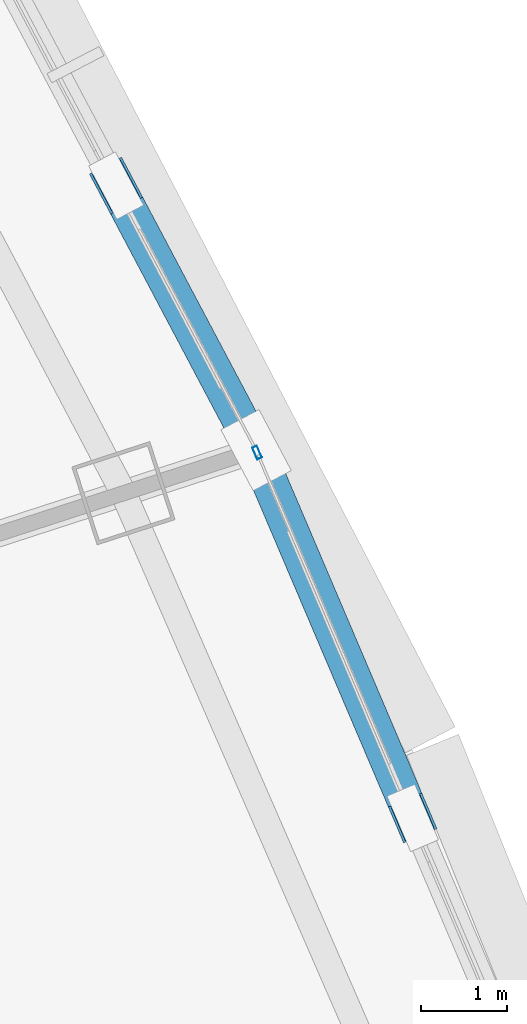
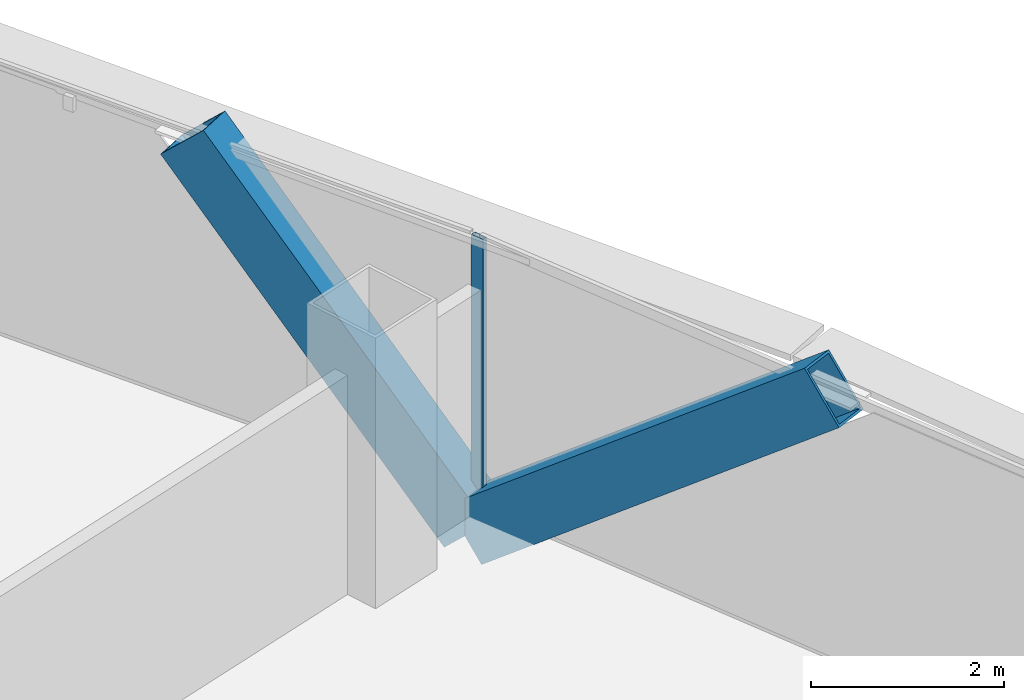
# One storey, part 26 of 39: 3 members, 1 element without a shape of its own.
"""IFC4 building model written with IfcOpenShell, lengths in metres."""

from ifc_helpers import new_model, si_unit, direction, frame, origin, origin_2d, place, context, subcontext, project, spatial, hollow_rectangle, extrude, source, transform, mapped, material, layer, layer_set, material_profile, profile_set, type_object, element, aggregate, save


model = new_model("IFC4")

# Units and contexts
model_context = context("Model", 3, precision=1e-05, world=origin(), true_north=direction((0.0, 1.0)))
body_context = subcontext(model_context, "Body", "Model", "MODEL_VIEW")
ifc_project = project(units=[si_unit("LENGTHUNIT", "METRE"), si_unit("AREAUNIT", "SQUARE_METRE"), si_unit("VOLUMEUNIT", "CUBIC_METRE"), si_unit("PLANEANGLEUNIT", "RADIAN"), si_unit("MASSUNIT", "GRAM", prefix="KILO"), si_unit("THERMODYNAMICTEMPERATUREUNIT", "KELVIN"), si_unit("POWERUNIT", "WATT")], contexts=[model_context])

# Site, building, storey
site_placement = place(None, origin())
site = spatial("IfcSite", under=ifc_project, at=site_placement, CompositionType="ELEMENT")
building_placement = place(site_placement, origin())
building = spatial("IfcBuilding", under=site, at=building_placement, Name="Yunzhuo Pagoda Commons", CompositionType="ELEMENT")
storey_placement = place(building_placement, frame((0.0, 0.0, 144.550048828125)))
storey = spatial("IfcBuildingStorey", under=building, at=storey_placement, Name="L36", CompositionType="ELEMENT", Elevation=144.550048828125)

# Members
ifc_material_1 = material(Name="Structural steel Q420B", Category="steel")
ifc_material_profile_1 = material_profile(ifc_material_1, hollow_rectangle(XDim=0.419921875, YDim=0.719970703125, WallThickness=0.028076171875, at=origin_2d()), Name="Structural steel Q420B")
ifc_profile_set_1 = profile_set([ifc_material_profile_1], Name="Structural steel Q420B")
member_type_1 = type_object("IfcMemberType", Name="M-DL1 Brace BOX 720x420x28", PredefinedType="BRACE", material=ifc_profile_set_1)
shared_shape_1 = source(origin(), body_context, "Body", "SweptSolid", [
    extrude(hollow_rectangle(XDim=0.419921875, YDim=0.719970703125, WallThickness=0.028076171875, at=origin_2d()), origin(), (0.0, 0.0, 1.0), 5.91552734375),
])
member_1_placement = place(storey_placement, frame((79.45166015625, 43.91943359375, -0.260009765625), z_axis=(0.306732639421, -0.720359457542, 0.622091102528), x_axis=(0.920064094689, 0.391767867064, 0.0)))
element("IfcMember", 1, at=member_1_placement, inside=storey, type_object=member_type_1, Name="L36 facade diamond brace F2.1R", PredefinedType="BRACE", context=body_context, shape_type="MappedRepresentation", body=[
    mapped(shared_shape_1, transform((0.0, 0.0, 0.0), scale=1.0)),
])
shared_shape_2 = source(origin(), body_context, "Body", "SweptSolid", [
    extrude(hollow_rectangle(XDim=0.419921875, YDim=0.719970703125, WallThickness=0.028076171875, at=origin_2d()), origin(), (0.0, 0.0, 1.0), 5.055908203125),
])
member_2_placement = place(storey_placement, frame((79.45166015625, 43.91943359375, -0.260009765625), z_axis=(-0.320772870281, 0.606102825195, 0.727835236151), x_axis=(-0.883851281898, -0.467768010329, 0.0)))
element("IfcMember", 2, at=member_2_placement, inside=storey, type_object=member_type_1, Name="L36 facade diamond brace F2.2L", PredefinedType="BRACE", context=body_context, shape_type="MappedRepresentation", body=[
    mapped(shared_shape_2, transform((0.0, 0.0, 0.0), scale=1.0)),
])

# Curtain wall, member
ifc_material_2 = material(Name="Anodized aluminium 6063-T6", Category="aluminium")
ifc_layer = layer(ifc_material_2, 0.14990234375)
ifc_layer_set = layer_set([ifc_layer], Name="Anodized aluminium 6063-T6")
curtain_wall_type = type_object("IfcCurtainWallType", Name="CW-MID Mid-Zone Ribbon Curtain Wall", PredefinedType="NOTDEFINED", material=ifc_layer_set)
curtain_wall_placement = place(storey_placement, origin())
curtain_wall = element("IfcCurtainWall", 3, at=curtain_wall_placement, inside=storey, type_object=curtain_wall_type, Name="L36 curtain wall CW-L36-F2B2", PredefinedType="NOTDEFINED")
ifc_material_profile_2 = material_profile(ifc_material_2, hollow_rectangle(XDim=0.06005859375, YDim=0.14990234375, WallThickness=0.00390625, at=origin_2d()), Name="Anodized aluminium 6063-T6")
ifc_profile_set_2 = profile_set([ifc_material_profile_2], Name="Anodized aluminium 6063-T6")
member_type_2 = type_object("IfcMemberType", Name="CW-MID-M Mullion RHS 150x60x4", PredefinedType="MULLION", material=ifc_profile_set_2)
shared_shape_3 = source(origin(), body_context, "Body", "SweptSolid", [
    extrude(hollow_rectangle(XDim=0.06005859375, YDim=0.14990234375, WallThickness=0.00390625, at=origin_2d()), origin(), (0.0, 0.0, 1.0), 3.419921875),
])
member_3_placement = place(storey_placement, frame((79.46337890625, 43.8916015625, 0.0), z_axis=(0.0, 0.0, 1.0), x_axis=(-0.920072228059, -0.391748765351, 0.0)))
member_3 = element("IfcMember", 4, at=member_3_placement, type_object=member_type_2, Name="CW mullion 2", PredefinedType="MULLION", context=body_context, shape_type="MappedRepresentation", body=[
    mapped(shared_shape_3, transform((0.0, 0.0, 0.0), scale=1.0)),
])
aggregate(curtain_wall, [member_3])

save(model, "model.ifc")
